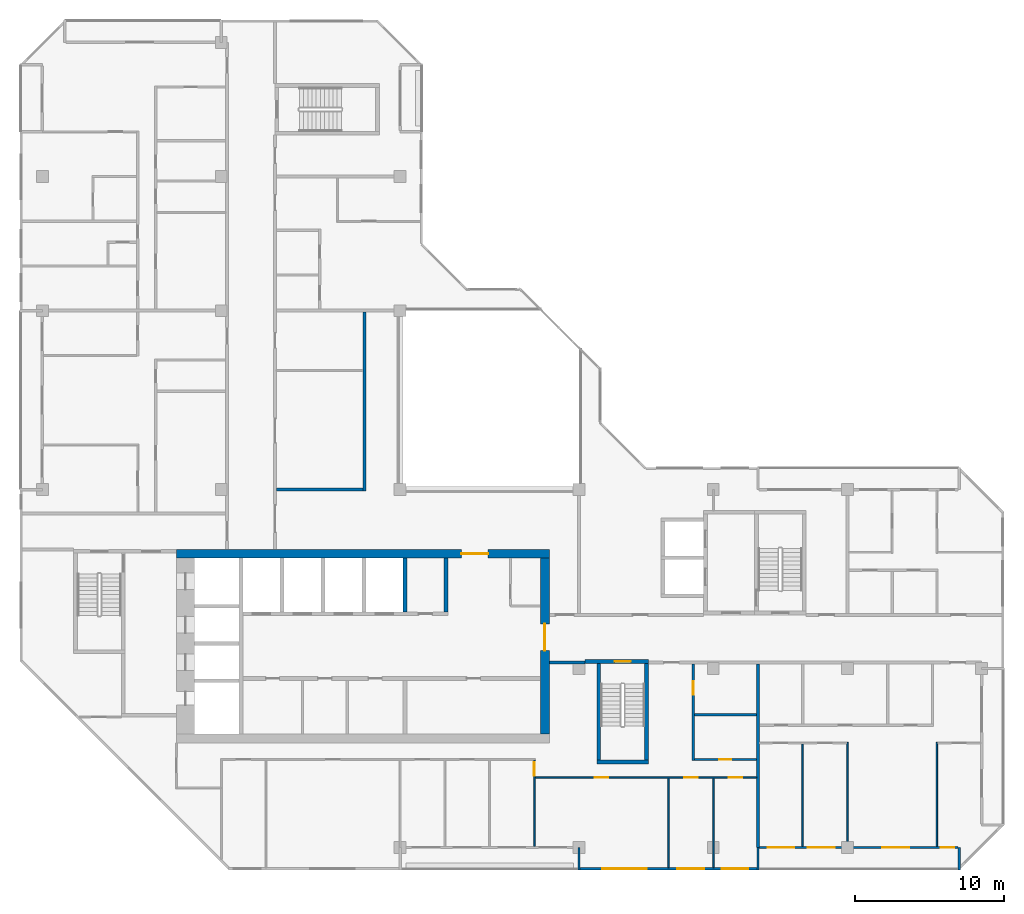
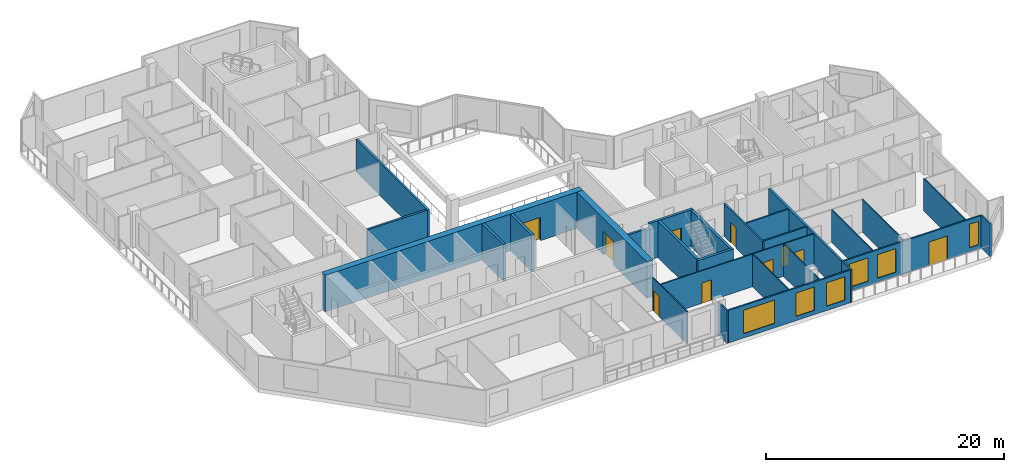
# One storey, part 6 of 13: 27 walls, 10 doors, 6 windows, 16 openings.
"""IFC4 building model written with IfcOpenShell, lengths in metres."""

from ifc_helpers import new_model, si_unit, direction, frame, frame_2d, origin, place, context, subcontext, project, spatial, rectangle, extrude, material, layer, layer_set, type_object, element, fill, save


model = new_model("IFC4")

# Units and contexts
model_context = context("Model", 3, precision=1e-05, world=origin(), true_north=direction((0.0, 1.0)))
body_context = subcontext(model_context, "Body", "Model", "MODEL_VIEW")
ifc_project = project(units=[si_unit("LENGTHUNIT", "METRE"), si_unit("AREAUNIT", "SQUARE_METRE"), si_unit("VOLUMEUNIT", "CUBIC_METRE"), si_unit("PLANEANGLEUNIT", "RADIAN"), si_unit("MASSUNIT", "GRAM", prefix="KILO")], contexts=[model_context])

# Site, building, storey
site_placement = place(None, origin())
site = spatial("IfcSite", under=ifc_project, at=site_placement, CompositionType="ELEMENT")
building_placement = place(site_placement, origin())
building = spatial("IfcBuilding", under=site, at=building_placement, Name="Chenar Terraces", CompositionType="ELEMENT")
storey_placement = place(building_placement, frame((0.0, 0.0, 292.14990234375)))
storey = spatial("IfcBuildingStorey", under=building, at=storey_placement, Name="L68", CompositionType="ELEMENT", Elevation=292.14990234375)

# Walls
ifc_material_1 = material(Name="Concrete C50/60", Category="concrete")
ifc_layer_1 = layer(ifc_material_1, 0.25)
ifc_layer_set_1 = layer_set([ifc_layer_1], Name="Concrete C50/60")
wall_type_1 = type_object("IfcWallType", Name="Core wall 250 Concrete C50/60", PredefinedType="SHEAR", material=ifc_layer_set_1)
for number, where, z_axis, x_axis, name in (
    (1, (24.324951171875, 15.800048828125, 0.0), (0.0, 0.0, 1.0), (0.0, 1.0, 0.0), "Core wall NS3 L68"),
    (2, (27.074951171875, 15.800048828125, 0.0), (0.0, 0.0, 1.0), (0.0, 1.0, 0.0), "Core wall NE L68"),
):
    element("IfcWall", number, at=place(storey_placement, frame(where, z_axis=z_axis, x_axis=x_axis)), inside=storey, type_object=wall_type_1, Name=name, PredefinedType="SHEAR", context=body_context, shape_type="SweptSolid", body=[
        extrude(rectangle(XDim=3.599853515625, YDim=0.25, at=frame_2d((1.7998046875, 0.0))), origin(), (0.0, 0.0, 1.0), 3.75),
    ])
wall_1_placement = place(storey_placement, frame((37.199951171875, 5.72509765625, 0.0), z_axis=(0.0, 0.0, 1.0), x_axis=(1.0, 0.0, 0.0)))
element("IfcWall", 3, at=wall_1_placement, inside=storey, type_object=wall_type_1, Name="Core wall ST2_S L68", PredefinedType="SHEAR", context=body_context, shape_type="SweptSolid", body=[
    extrude(rectangle(XDim=3.449951171875, YDim=0.25, at=frame_2d((1.72509765625, 0.0))), origin(), (0.0, 0.0, 1.0), 3.75),
])

# Wall, opening, door
wall_2_placement = place(storey_placement, frame((36.39990234375, 12.47509765625, 0.0), z_axis=(0.0, 0.0, 1.0), x_axis=(1.0, 0.0, 0.0)))
wall_2 = element("IfcWall", 4, at=wall_2_placement, inside=storey, type_object=wall_type_1, Name="Core wall ST2_N L68", PredefinedType="SHEAR", context=body_context, shape_type="SweptSolid", body=[
    extrude(rectangle(XDim=4.25, YDim=0.25, at=frame_2d((2.125, 0.0))), origin(), (0.0, 0.0, 1.0), 3.75),
])
opening_1_placement = place(wall_2_placement, frame((1.97509765625, 0.0, 0.0)))
opening_1 = element("IfcOpeningElement", 5, at=opening_1_placement, cuts=wall_2, Name="Opening DL68-C7", PredefinedType="OPENING", context=body_context, shape_type="SweptSolid", body=[
    extrude(rectangle(XDim=1.10009765625, YDim=2.199951171875, at=frame_2d((0.550048828125, 1.10009765625))), frame((0.0, 0.135009765625, 0.0), z_axis=(0.0, -1.0, 0.0), x_axis=(1.0, 0.0, 0.0)), (0.0, 0.0, 1.0), 0.27001953125),
])
ifc_material_2 = material(Name="Steel-framed fire-resisting door leaf", Category="steel")
door_type_1 = type_object("IfcDoorType", Name="Stair fire door FD60 1100 x 2200", OperationType="SINGLE_SWING_LEFT", PredefinedType="DOOR", material=ifc_material_2)
door_1_placement = place(opening_1_placement, frame((1.10009765625, 0.0, 0.0), z_axis=(0.0, 0.0, 1.0), x_axis=(-1.0, 0.0, 0.0)))
door_1 = element("IfcDoor", 6, at=door_1_placement, inside=storey, type_object=door_type_1, Name="Stair door DL68-C7", OperationType="SINGLE_SWING_LEFT", OverallHeight=2.199951171875, OverallWidth=1.10009765625, PredefinedType="DOOR", context=body_context, shape_type="SweptSolid", body=[
    extrude(rectangle(XDim=1.10009765625, YDim=2.199951171875, at=frame_2d((0.550048828125, 1.10009765625))), frame((0.0, 0.02490234375, 0.0), z_axis=(0.0, -1.0, 0.0), x_axis=(1.0, 0.0, 0.0)), (0.0, 0.0, 1.0), 0.050048828125),
])
fill(opening_1, door_1)

# Walls
for number, where, z_axis, x_axis, name in (
    (7, (37.324951171875, 5.85009765625, 0.0), (0.0, 0.0, 1.0), (0.0, 1.0, 0.0), "Core wall ST2_W L68"),
    (8, (40.52490234375, 5.85009765625, 0.0), (0.0, 0.0, 1.0), (0.0, 1.0, 0.0), "Core wall ST2_E L68"),
):
    element("IfcWall", number, at=place(storey_placement, frame(where, z_axis=z_axis, x_axis=x_axis)), inside=storey, type_object=wall_type_1, Name=name, PredefinedType="SHEAR", context=body_context, shape_type="SweptSolid", body=[
        extrude(rectangle(XDim=6.5, YDim=0.25, at=frame_2d((3.25, 0.0))), origin(), (0.0, 0.0, 1.0), 3.75),
    ])

# Wall, opening, door
ifc_material_3 = material(Name="Concrete C50/60", Category="concrete")
ifc_layer_2 = layer(ifc_material_3, 0.60009765625)
ifc_layer_set_2 = layer_set([ifc_layer_2], Name="Concrete C50/60")
wall_type_2 = type_object("IfcWallType", Name="Core wall 600 Concrete C50/60", PredefinedType="SHEAR", material=ifc_layer_set_2)
wall_3_placement = place(storey_placement, frame((9.0, 19.699951171875, 0.0), z_axis=(0.0, 0.0, 1.0), x_axis=(1.0, 0.0, 0.0)))
wall_3 = element("IfcWall", 9, at=wall_3_placement, inside=storey, type_object=wall_type_2, Name="Core wall N L68", PredefinedType="SHEAR", context=body_context, shape_type="SweptSolid", body=[
    extrude(rectangle(XDim=25.0, YDim=0.60009765625, at=frame_2d((12.5, 0.0))), origin(), (0.0, 0.0, 1.0), 3.75),
])
opening_2_placement = place(wall_3_placement, frame((19.10009765625, 0.0, 0.0)))
opening_2 = element("IfcOpeningElement", 10, at=opening_2_placement, cuts=wall_3, Name="Opening DL68-C2", PredefinedType="OPENING", context=body_context, shape_type="SweptSolid", body=[
    extrude(rectangle(XDim=1.800048828125, YDim=2.39990234375, at=frame_2d((0.89990234375, 1.199951171875))), frame((0.0, 0.31005859375, 0.0), z_axis=(0.0, -1.0, 0.0), x_axis=(1.0, 0.0, 0.0)), (0.0, 0.0, 1.0), 0.6201171875),
])
ifc_material_4 = material(Name="Steel-framed fire-resisting door leaf", Category="steel")
door_type_2 = type_object("IfcDoorType", Name="Core entrance double fire door FD60 1800 x 2400", OperationType="DOUBLE_DOOR_SINGLE_SWING", PredefinedType="DOOR", material=ifc_material_4)
door_2_placement = place(opening_2_placement, frame((1.800048828125, 0.0, 0.0), z_axis=(0.0, 0.0, 1.0), x_axis=(-1.0, 0.0, 0.0)))
door_2 = element("IfcDoor", 11, at=door_2_placement, inside=storey, type_object=door_type_2, Name="Core door DL68-C2", OperationType="DOUBLE_DOOR_SINGLE_SWING", OverallHeight=2.39990234375, OverallWidth=1.800048828125, PredefinedType="DOOR", context=body_context, shape_type="SweptSolid", body=[
    extrude(rectangle(XDim=1.800048828125, YDim=2.39990234375, at=frame_2d((0.89990234375, 1.199951171875))), frame((0.0, 0.02490234375, 0.0), z_axis=(0.0, -1.0, 0.0), x_axis=(1.0, 0.0, 0.0)), (0.0, 0.0, 1.0), 0.050048828125),
])
fill(opening_2, door_2)

wall_4_placement = place(storey_placement, frame((33.699951171875, 7.60009765625, 0.0), z_axis=(0.0, 0.0, 1.0), x_axis=(0.0, 1.0, 0.0)))
wall_4 = element("IfcWall", 12, at=wall_4_placement, inside=storey, type_object=wall_type_2, Name="Core wall E L68", PredefinedType="SHEAR", context=body_context, shape_type="SweptSolid", body=[
    extrude(rectangle(XDim=11.7998046875, YDim=0.60009765625, at=frame_2d((5.89990234375, 0.0))), origin(), (0.0, 0.0, 1.0), 3.75),
])
opening_3_placement = place(wall_4_placement, frame((5.60009765625, 0.0, 0.0)))
opening_3 = element("IfcOpeningElement", 13, at=opening_3_placement, cuts=wall_4, Name="Opening DL68-C1", PredefinedType="OPENING", context=body_context, shape_type="SweptSolid", body=[
    extrude(rectangle(XDim=1.800048828125, YDim=2.39990234375, at=frame_2d((0.89990234375, 1.199951171875))), frame((0.0, 0.31005859375, 0.0), z_axis=(0.0, -1.0, 0.0), x_axis=(1.0, 0.0, 0.0)), (0.0, 0.0, 1.0), 0.6201171875),
])
door_3_placement = place(opening_3_placement, origin())
door_3 = element("IfcDoor", 14, at=door_3_placement, inside=storey, type_object=door_type_2, Name="Core door DL68-C1", OperationType="DOUBLE_DOOR_SINGLE_SWING", OverallHeight=2.39990234375, OverallWidth=1.800048828125, PredefinedType="DOOR", context=body_context, shape_type="SweptSolid", body=[
    extrude(rectangle(XDim=1.800048828125, YDim=2.39990234375, at=frame_2d((0.89990234375, 1.199951171875))), frame((0.0, 0.02490234375, 0.0), z_axis=(0.0, -1.0, 0.0), x_axis=(1.0, 0.0, 0.0)), (0.0, 0.0, 1.0), 0.050048828125),
])
fill(opening_3, door_3)

# Walls
ifc_material_5 = material(Name="Gypsum board on steel studs with fire boards", Category="steel")
ifc_layer_3 = layer(ifc_material_5, 0.199951171875)
ifc_layer_set_3 = layer_set([ifc_layer_3], Name="Gypsum board on steel studs with fire boards")
wall_type_3 = type_object("IfcWallType", Name="Corridor wall 200", PredefinedType="PARTITIONING", material=ifc_layer_set_3)
wall_5_placement = place(storey_placement, frame((15.699951171875, 24.0, 0.0), z_axis=(0.0, 0.0, 1.0), x_axis=(1.0, 0.0, 0.0)))
element("IfcWall", 15, at=wall_5_placement, inside=storey, type_object=wall_type_3, Name="Partition L68-033", PredefinedType="PARTITIONING", context=body_context, shape_type="SweptSolid", body=[
    extrude(rectangle(XDim=5.800048828125, YDim=0.199951171875, at=frame_2d((2.89990234375, 0.0))), origin(), (0.0, 0.0, 1.0), 3.35009765625),
])
wall_6_placement = place(storey_placement, frame((21.60009765625, 23.89990234375, 0.0), z_axis=(0.0, 0.0, 1.0), x_axis=(0.0, 1.0, 0.0)))
element("IfcWall", 16, at=wall_6_placement, inside=storey, type_object=wall_type_3, Name="Partition L68-042", PredefinedType="PARTITIONING", context=body_context, shape_type="SweptSolid", body=[
    extrude(rectangle(XDim=12.0, YDim=0.199951171875, at=frame_2d((6.0, 0.0))), origin(), (0.0, 0.0, 1.0), 3.35009765625),
])
wall_7_placement = place(storey_placement, frame((34.0, 12.39990234375, 0.0), z_axis=(0.0, 0.0, 1.0), x_axis=(1.0, 0.0, 0.0)))
element("IfcWall", 17, at=wall_7_placement, inside=storey, type_object=wall_type_3, Name="Partition L68-048", PredefinedType="PARTITIONING", context=body_context, shape_type="SweptSolid", body=[
    extrude(rectangle(XDim=2.40087890625, YDim=0.199951171875, at=frame_2d((1.200439453125, 0.0))), origin(), (0.0, 0.0, 1.0), 3.35009765625),
])

# Wall, openings, windows
ifc_material_6 = material(Name="Aluminium framed glazing", Category="aluminium")
ifc_layer_4 = layer(ifc_material_6, 0.14990234375)
ifc_layer_set_4 = layer_set([ifc_layer_4], Name="Aluminium framed glazing")
wall_type_4 = type_object("IfcWallType", Name="Glazed flush facade wall 150", PredefinedType="SOLIDWALL", material=ifc_layer_set_4)
wall_8_placement = place(storey_placement, frame((36.074951171875, -1.425048828125, 0.0), z_axis=(0.0, 0.0, 1.0), x_axis=(1.0, 0.0, 0.0)))
wall_8 = element("IfcWall", 18, at=wall_8_placement, inside=storey, type_object=wall_type_4, Name="Glazed flush facade wall", PredefinedType="SOLIDWALL", context=body_context, shape_type="SweptSolid", body=[
    extrude(rectangle(XDim=11.85009765625, YDim=0.14990234375, at=frame_2d((5.925048828125, 0.0))), origin(), (0.0, 0.0, 1.0), 3.35009765625),
])
opening_4_placement = place(wall_8_placement, frame((1.46240234375, 0.0, 0.449951171875)))
opening_4 = element("IfcOpeningElement", 19, at=opening_4_placement, cuts=wall_8, Name="Opening W300x240", PredefinedType="OPENING", context=body_context, shape_type="SweptSolid", body=[
    extrude(rectangle(XDim=3.0, YDim=2.39990234375, at=frame_2d((1.5, 1.199951171875))), frame((0.0, 0.0849609375, 0.0), z_axis=(0.0, -1.0, 0.0), x_axis=(1.0, 0.0, 0.0)), (0.0, 0.0, 1.0), 0.169921875),
])
opening_5_placement = place(wall_8_placement, frame((6.52490234375, 0.0, 0.449951171875)))
opening_5 = element("IfcOpeningElement", 20, at=opening_5_placement, cuts=wall_8, Name="Opening W180x240", PredefinedType="OPENING", context=body_context, shape_type="SweptSolid", body=[
    extrude(rectangle(XDim=1.800048828125, YDim=2.39990234375, at=frame_2d((0.89990234375, 1.199951171875))), frame((0.0, 0.0849609375, 0.0), z_axis=(0.0, -1.0, 0.0), x_axis=(1.0, 0.0, 0.0)), (0.0, 0.0, 1.0), 0.169921875),
])
opening_6_placement = place(wall_8_placement, frame((9.487548828125, 0.0, 0.449951171875)))
opening_6 = element("IfcOpeningElement", 21, at=opening_6_placement, cuts=wall_8, Name="Opening W180x240", PredefinedType="OPENING", context=body_context, shape_type="SweptSolid", body=[
    extrude(rectangle(XDim=1.800048828125, YDim=2.39990234375, at=frame_2d((0.89990234375, 1.199951171875))), frame((0.0, 0.0849609375, 0.0), z_axis=(0.0, -1.0, 0.0), x_axis=(1.0, 0.0, 0.0)), (0.0, 0.0, 1.0), 0.169921875),
])
ifc_material_7 = material(Name="Low emissivity double glazing, aluminium frame", Category="aluminium")
window_type_1 = type_object("IfcWindowType", Name="Fixed light 1800 x 2400", PartitioningType="SINGLE_PANEL", PredefinedType="WINDOW", material=ifc_material_7)
window_1_placement = place(opening_5_placement, origin())
window_1 = element("IfcWindow", 22, at=window_1_placement, inside=storey, type_object=window_type_1, Name="Window", OverallHeight=2.39990234375, OverallWidth=1.800048828125, PartitioningType="SINGLE_PANEL", PredefinedType="WINDOW", context=body_context, shape_type="SweptSolid", body=[
    extrude(rectangle(XDim=1.800048828125, YDim=2.39990234375, at=frame_2d((0.89990234375, 1.199951171875))), frame((0.0, 0.030029296875, 0.0), z_axis=(0.0, -1.0, 0.0), x_axis=(1.0, 0.0, 0.0)), (0.0, 0.0, 1.0), 0.06005859375),
])
fill(opening_5, window_1)
window_2_placement = place(opening_6_placement, origin())
window_2 = element("IfcWindow", 23, at=window_2_placement, inside=storey, type_object=window_type_1, Name="Window", OverallHeight=2.39990234375, OverallWidth=1.800048828125, PartitioningType="SINGLE_PANEL", PredefinedType="WINDOW", context=body_context, shape_type="SweptSolid", body=[
    extrude(rectangle(XDim=1.800048828125, YDim=2.39990234375, at=frame_2d((0.89990234375, 1.199951171875))), frame((0.0, 0.030029296875, 0.0), z_axis=(0.0, -1.0, 0.0), x_axis=(1.0, 0.0, 0.0)), (0.0, 0.0, 1.0), 0.06005859375),
])
fill(opening_6, window_2)
ifc_material_8 = material(Name="Low emissivity double glazing, aluminium frame", Category="aluminium")
window_type_2 = type_object("IfcWindowType", Name="Fixed light 3000 x 2400", PartitioningType="SINGLE_PANEL", PredefinedType="WINDOW", material=ifc_material_8)
window_3_placement = place(opening_4_placement, origin())
window_3 = element("IfcWindow", 24, at=window_3_placement, inside=storey, type_object=window_type_2, Name="Window", OverallHeight=2.39990234375, OverallWidth=3.0, PartitioningType="SINGLE_PANEL", PredefinedType="WINDOW", context=body_context, shape_type="SweptSolid", body=[
    extrude(rectangle(XDim=3.0, YDim=2.39990234375, at=frame_2d((1.5, 1.199951171875))), frame((0.0, 0.030029296875, 0.0), z_axis=(0.0, -1.0, 0.0), x_axis=(1.0, 0.0, 0.0)), (0.0, 0.0, 1.0), 0.06005859375),
])
fill(opening_4, window_3)

# Wall, openings, windows, door
ifc_material_9 = material(Name="Aluminium framed glazing", Category="aluminium")
ifc_layer_5 = layer(ifc_material_9, 0.14990234375)
ifc_layer_set_5 = layer_set([ifc_layer_5], Name="Aluminium framed glazing")
wall_type_5 = type_object("IfcWallType", Name="Glazed loggia back wall 150", PredefinedType="SOLIDWALL", material=ifc_layer_set_5)
wall_9_placement = place(storey_placement, frame((48.074951171875, 0.0, 0.0), z_axis=(0.0, 0.0, 1.0), x_axis=(1.0, 0.0, 0.0)))
wall_9 = element("IfcWall", 25, at=wall_9_placement, inside=storey, type_object=wall_type_5, Name="Glazed loggia back wall", PredefinedType="SOLIDWALL", context=body_context, shape_type="SweptSolid", body=[
    extrude(rectangle(XDim=13.35009765625, YDim=0.14990234375, at=frame_2d((6.675048828125, 0.0))), origin(), (0.0, 0.0, 1.0), 3.35009765625),
])
opening_7_placement = place(wall_9_placement, frame((0.5625, 0.0, 0.449951171875)))
opening_7 = element("IfcOpeningElement", 26, at=opening_7_placement, cuts=wall_9, Name="Opening W180x240", PredefinedType="OPENING", context=body_context, shape_type="SweptSolid", body=[
    extrude(rectangle(XDim=1.800048828125, YDim=2.39990234375, at=frame_2d((0.89990234375, 1.199951171875))), frame((0.0, 0.0849609375, 0.0), z_axis=(0.0, -1.0, 0.0), x_axis=(1.0, 0.0, 0.0)), (0.0, 0.0, 1.0), 0.169921875),
])
opening_8_placement = place(wall_9_placement, frame((3.27490234375, 0.0, 0.449951171875)))
opening_8 = element("IfcOpeningElement", 27, at=opening_8_placement, cuts=wall_9, Name="Opening W180x240", PredefinedType="OPENING", context=body_context, shape_type="SweptSolid", body=[
    extrude(rectangle(XDim=1.800048828125, YDim=2.39990234375, at=frame_2d((0.89990234375, 1.199951171875))), frame((0.0, 0.0849609375, 0.0), z_axis=(0.0, -1.0, 0.0), x_axis=(1.0, 0.0, 0.0)), (0.0, 0.0, 1.0), 0.169921875),
])
opening_9_placement = place(wall_9_placement, frame((8.27490234375, 0.0, 0.0)))
opening_9 = element("IfcOpeningElement", 28, at=opening_9_placement, cuts=wall_9, Name="Opening DL68-G6", PredefinedType="OPENING", context=body_context, shape_type="SweptSolid", body=[
    extrude(rectangle(XDim=1.800048828125, YDim=2.39990234375, at=frame_2d((0.89990234375, 1.199951171875))), frame((0.0, 0.0849609375, 0.0), z_axis=(0.0, -1.0, 0.0), x_axis=(1.0, 0.0, 0.0)), (0.0, 0.0, 1.0), 0.169921875),
])
opening_10_placement = place(wall_9_placement, frame((12.1875, 0.0, 0.449951171875)))
opening_10 = element("IfcOpeningElement", 29, at=opening_10_placement, cuts=wall_9, Name="Opening W90x240", PredefinedType="OPENING", context=body_context, shape_type="SweptSolid", body=[
    extrude(rectangle(XDim=0.89990234375, YDim=2.39990234375, at=frame_2d((0.449951171875, 1.199951171875))), frame((0.0, 0.0849609375, 0.0), z_axis=(0.0, -1.0, 0.0), x_axis=(1.0, 0.0, 0.0)), (0.0, 0.0, 1.0), 0.169921875),
])
window_4_placement = place(opening_7_placement, origin())
window_4 = element("IfcWindow", 30, at=window_4_placement, inside=storey, type_object=window_type_1, Name="Window", OverallHeight=2.39990234375, OverallWidth=1.800048828125, PartitioningType="SINGLE_PANEL", PredefinedType="WINDOW", context=body_context, shape_type="SweptSolid", body=[
    extrude(rectangle(XDim=1.800048828125, YDim=2.39990234375, at=frame_2d((0.89990234375, 1.199951171875))), frame((0.0, 0.030029296875, 0.0), z_axis=(0.0, -1.0, 0.0), x_axis=(1.0, 0.0, 0.0)), (0.0, 0.0, 1.0), 0.06005859375),
])
fill(opening_7, window_4)
window_5_placement = place(opening_8_placement, origin())
window_5 = element("IfcWindow", 31, at=window_5_placement, inside=storey, type_object=window_type_1, Name="Window", OverallHeight=2.39990234375, OverallWidth=1.800048828125, PartitioningType="SINGLE_PANEL", PredefinedType="WINDOW", context=body_context, shape_type="SweptSolid", body=[
    extrude(rectangle(XDim=1.800048828125, YDim=2.39990234375, at=frame_2d((0.89990234375, 1.199951171875))), frame((0.0, 0.030029296875, 0.0), z_axis=(0.0, -1.0, 0.0), x_axis=(1.0, 0.0, 0.0)), (0.0, 0.0, 1.0), 0.06005859375),
])
fill(opening_8, window_5)
ifc_material_10 = material(Name="Low emissivity double glazing, aluminium frame", Category="aluminium")
window_type_3 = type_object("IfcWindowType", Name="Fixed light 900 x 2400", PartitioningType="SINGLE_PANEL", PredefinedType="WINDOW", material=ifc_material_10)
window_6_placement = place(opening_10_placement, origin())
window_6 = element("IfcWindow", 32, at=window_6_placement, inside=storey, type_object=window_type_3, Name="Window", OverallHeight=2.39990234375, OverallWidth=0.89990234375, PartitioningType="SINGLE_PANEL", PredefinedType="WINDOW", context=body_context, shape_type="SweptSolid", body=[
    extrude(rectangle(XDim=0.89990234375, YDim=2.39990234375, at=frame_2d((0.449951171875, 1.199951171875))), frame((0.0, 0.030029296875, 0.0), z_axis=(0.0, -1.0, 0.0), x_axis=(1.0, 0.0, 0.0)), (0.0, 0.0, 1.0), 0.06005859375),
])
fill(opening_10, window_6)
ifc_material_11 = material(Name="Low emissivity double glazing, aluminium frame", Category="aluminium")
door_type_3 = type_object("IfcDoorType", Name="Loggia glazed double door 1800 x 2400", OperationType="DOUBLE_DOOR_SINGLE_SWING", PredefinedType="DOOR", material=ifc_material_11)
door_4_placement = place(opening_9_placement, frame((1.800048828125, 0.0, 0.0), z_axis=(0.0, 0.0, 1.0), x_axis=(-1.0, 0.0, 0.0)))
door_4 = element("IfcDoor", 33, at=door_4_placement, inside=storey, type_object=door_type_3, Name="Loggia glazed door", OperationType="DOUBLE_DOOR_SINGLE_SWING", OverallHeight=2.39990234375, OverallWidth=1.800048828125, PredefinedType="DOOR", context=body_context, shape_type="SweptSolid", body=[
    extrude(rectangle(XDim=1.800048828125, YDim=2.39990234375, at=frame_2d((0.89990234375, 1.199951171875))), frame((0.0, 0.02490234375, 0.0), z_axis=(0.0, -1.0, 0.0), x_axis=(1.0, 0.0, 0.0)), (0.0, 0.0, 1.0), 0.050048828125),
])
fill(opening_9, door_4)

# Wall, opening, door
ifc_material_12 = material(Name="Gypsum board on steel studs", Category="steel")
ifc_layer_6 = layer(ifc_material_12, 0.10009765625)
ifc_layer_set_6 = layer_set([ifc_layer_6], Name="Gypsum board on steel studs")
wall_type_6 = type_object("IfcWallType", Name="Gypsum partition 100", PredefinedType="PARTITIONING", material=ifc_layer_set_6)
wall_10_placement = place(storey_placement, frame((33.0, 0.073974609375, 0.0), z_axis=(0.0, 0.0, 1.0), x_axis=(0.0, 1.0, 0.0)))
wall_10 = element("IfcWall", 34, at=wall_10_placement, inside=storey, type_object=wall_type_6, Name="Partition L68-046", PredefinedType="PARTITIONING", context=body_context, shape_type="SweptSolid", body=[
    extrude(rectangle(XDim=5.776123046875, YDim=0.10009765625, at=frame_2d((2.88818359375, 0.0))), origin(), (0.0, 0.0, 1.0), 3.35009765625),
])
opening_11_placement = place(wall_10_placement, frame((4.72607421875, 0.0, 0.0)))
opening_11 = element("IfcOpeningElement", 35, at=opening_11_placement, cuts=wall_10, Name="Opening DL68-39", PredefinedType="OPENING", context=body_context, shape_type="SweptSolid", body=[
    extrude(rectangle(XDim=0.89990234375, YDim=2.10009765625, at=frame_2d((0.449951171875, 1.050048828125))), frame((0.0, 0.06005859375, 0.0), z_axis=(0.0, -1.0, 0.0), x_axis=(1.0, 0.0, 0.0)), (0.0, 0.0, 1.0), 0.1201171875),
])
ifc_material_13 = material(Name="Veneered timber door leaf", Category="wood")
door_type_4 = type_object("IfcDoorType", Name="Door 900 x 2100", OperationType="SINGLE_SWING_LEFT", PredefinedType="DOOR", material=ifc_material_13)
door_5_placement = place(opening_11_placement, origin())
door_5 = element("IfcDoor", 36, at=door_5_placement, inside=storey, type_object=door_type_4, Name="Door DL68-39", OperationType="SINGLE_SWING_RIGHT", OverallHeight=2.10009765625, OverallWidth=0.89990234375, PredefinedType="DOOR", context=body_context, shape_type="SweptSolid", body=[
    extrude(rectangle(XDim=0.89990234375, YDim=2.10009765625, at=frame_2d((0.449951171875, 1.050048828125))), frame((0.0, 0.02490234375, 0.0), z_axis=(0.0, -1.0, 0.0), x_axis=(1.0, 0.0, 0.0)), (0.0, 0.0, 1.0), 0.050048828125),
])
fill(opening_11, door_5)

# Wall, openings, doors
wall_11_placement = place(storey_placement, frame((33.050048828125, 4.699951171875, 0.0), z_axis=(0.0, 0.0, 1.0), x_axis=(1.0, 0.0, 0.0)))
wall_11 = element("IfcWall", 37, at=wall_11_placement, inside=storey, type_object=wall_type_6, Name="Partition L68-047", PredefinedType="PARTITIONING", context=body_context, shape_type="SweptSolid", body=[
    extrude(rectangle(XDim=14.849853515625, YDim=0.10009765625, at=frame_2d((7.4248046875, 0.0))), origin(), (0.0, 0.0, 1.0), 3.35009765625),
])
opening_12_placement = place(wall_11_placement, frame((10.0, 0.0, 0.0)))
opening_12 = element("IfcOpeningElement", 38, at=opening_12_placement, cuts=wall_11, Name="Opening DL68-40", PredefinedType="OPENING", context=body_context, shape_type="SweptSolid", body=[
    extrude(rectangle(XDim=0.89990234375, YDim=2.10009765625, at=frame_2d((0.449951171875, 1.050048828125))), frame((0.0, 0.06005859375, 0.0), z_axis=(0.0, -1.0, 0.0), x_axis=(1.0, 0.0, 0.0)), (0.0, 0.0, 1.0), 0.1201171875),
])
opening_13_placement = place(wall_11_placement, frame((13.0, 0.0, 0.0)))
opening_13 = element("IfcOpeningElement", 39, at=opening_13_placement, cuts=wall_11, Name="Opening DL68-41", PredefinedType="OPENING", context=body_context, shape_type="SweptSolid", body=[
    extrude(rectangle(XDim=0.89990234375, YDim=2.10009765625, at=frame_2d((0.449951171875, 1.050048828125))), frame((0.0, 0.06005859375, 0.0), z_axis=(0.0, -1.0, 0.0), x_axis=(1.0, 0.0, 0.0)), (0.0, 0.0, 1.0), 0.1201171875),
])
opening_14_placement = place(wall_11_placement, frame((4.0, 0.0, 0.0)))
opening_14 = element("IfcOpeningElement", 40, at=opening_14_placement, cuts=wall_11, Name="Opening DL68-47", PredefinedType="OPENING", context=body_context, shape_type="SweptSolid", body=[
    extrude(rectangle(XDim=0.89990234375, YDim=2.10009765625, at=frame_2d((0.449951171875, 1.050048828125))), frame((0.0, 0.06005859375, 0.0), z_axis=(0.0, -1.0, 0.0), x_axis=(1.0, 0.0, 0.0)), (0.0, 0.0, 1.0), 0.1201171875),
])
door_6_placement = place(opening_12_placement, frame((0.89990234375, 0.0, 0.0), z_axis=(0.0, 0.0, 1.0), x_axis=(-1.0, 0.0, 0.0)))
door_6 = element("IfcDoor", 41, at=door_6_placement, inside=storey, type_object=door_type_4, Name="Door DL68-40", OperationType="SINGLE_SWING_LEFT", OverallHeight=2.10009765625, OverallWidth=0.89990234375, PredefinedType="DOOR", context=body_context, shape_type="SweptSolid", body=[
    extrude(rectangle(XDim=0.89990234375, YDim=2.10009765625, at=frame_2d((0.449951171875, 1.050048828125))), frame((0.0, 0.02490234375, 0.0), z_axis=(0.0, -1.0, 0.0), x_axis=(1.0, 0.0, 0.0)), (0.0, 0.0, 1.0), 0.050048828125),
])
fill(opening_12, door_6)
door_7_placement = place(opening_13_placement, frame((0.89990234375, 0.0, 0.0), z_axis=(0.0, 0.0, 1.0), x_axis=(-1.0, 0.0, 0.0)))
door_7 = element("IfcDoor", 42, at=door_7_placement, inside=storey, type_object=door_type_4, Name="Door DL68-41", OperationType="SINGLE_SWING_LEFT", OverallHeight=2.10009765625, OverallWidth=0.89990234375, PredefinedType="DOOR", context=body_context, shape_type="SweptSolid", body=[
    extrude(rectangle(XDim=0.89990234375, YDim=2.10009765625, at=frame_2d((0.449951171875, 1.050048828125))), frame((0.0, 0.02490234375, 0.0), z_axis=(0.0, -1.0, 0.0), x_axis=(1.0, 0.0, 0.0)), (0.0, 0.0, 1.0), 0.050048828125),
])
fill(opening_13, door_7)
door_8_placement = place(opening_14_placement, frame((0.89990234375, 0.0, 0.0), z_axis=(0.0, 0.0, 1.0), x_axis=(-1.0, 0.0, 0.0)))
door_8 = element("IfcDoor", 43, at=door_8_placement, inside=storey, type_object=door_type_4, Name="Door DL68-47", OperationType="SINGLE_SWING_LEFT", OverallHeight=2.10009765625, OverallWidth=0.89990234375, PredefinedType="DOOR", context=body_context, shape_type="SweptSolid", body=[
    extrude(rectangle(XDim=0.89990234375, YDim=2.10009765625, at=frame_2d((0.449951171875, 1.050048828125))), frame((0.0, 0.02490234375, 0.0), z_axis=(0.0, -1.0, 0.0), x_axis=(1.0, 0.0, 0.0)), (0.0, 0.0, 1.0), 0.050048828125),
])
fill(opening_14, door_8)

# Walls
wall_12_placement = place(storey_placement, frame((42.0, -1.35009765625, 0.0), z_axis=(0.0, 0.0, 1.0), x_axis=(0.0, 1.0, 0.0)))
element("IfcWall", 44, at=wall_12_placement, inside=storey, type_object=wall_type_6, Name="Partition L68-052", PredefinedType="PARTITIONING", context=body_context, shape_type="SweptSolid", body=[
    extrude(rectangle(XDim=6.0, YDim=0.10009765625, at=frame_2d((3.0, 0.0))), origin(), (0.0, 0.0, 1.0), 3.35009765625),
])
wall_13_placement = place(storey_placement, frame((45.0, -1.35107421875, 0.0), z_axis=(0.0, 0.0, 1.0), x_axis=(0.0, 1.0, 0.0)))
element("IfcWall", 45, at=wall_13_placement, inside=storey, type_object=wall_type_6, Name="Partition L68-056", PredefinedType="PARTITIONING", context=body_context, shape_type="SweptSolid", body=[
    extrude(rectangle(XDim=6.0009765625, YDim=0.10009765625, at=frame_2d((3.00048828125, 0.0))), origin(), (0.0, 0.0, 1.0), 3.35009765625),
])
wall_14_placement = place(storey_placement, frame((51.0, 0.073974609375, 0.0), z_axis=(0.0, 0.0, 1.0), x_axis=(0.0, 1.0, 0.0)))
element("IfcWall", 46, at=wall_14_placement, inside=storey, type_object=wall_type_6, Name="Partition L68-061", PredefinedType="PARTITIONING", context=body_context, shape_type="SweptSolid", body=[
    extrude(rectangle(XDim=6.8759765625, YDim=0.10009765625, at=frame_2d((3.43798828125, 0.0))), origin(), (0.0, 0.0, 1.0), 3.35009765625),
])
for number, where, z_axis, x_axis, name in (
    (47, (54.0, 0.073974609375, 0.0), (0.0, 0.0, 1.0), (0.0, 1.0, 0.0), "Partition L68-064"),
    (48, (60.0, 0.073974609375, 0.0), (0.0, 0.0, 1.0), (0.0, 1.0, 0.0), "Partition L68-072"),
):
    element("IfcWall", number, at=place(storey_placement, frame(where, z_axis=z_axis, x_axis=x_axis)), inside=storey, type_object=wall_type_6, Name=name, PredefinedType="PARTITIONING", context=body_context, shape_type="SweptSolid", body=[
        extrude(rectangle(XDim=6.97607421875, YDim=0.10009765625, at=frame_2d((3.488037109375, 0.0))), origin(), (0.0, 0.0, 1.0), 3.35009765625),
    ])
ifc_material_14 = material(Name="Terracotta cladding on insulated backing", Category="masonry")
ifc_layer_7 = layer(ifc_material_14, 0.14990234375)
ifc_layer_set_7 = layer_set([ifc_layer_7], Name="Terracotta cladding on insulated backing")
wall_type_7 = type_object("IfcWallType", Name="Loggia return wall 150", PredefinedType="SOLIDWALL", material=ifc_layer_set_7)
for number, where, z_axis, x_axis, name in (
    (49, (36.0, -1.5, 0.0), (0.0, 0.0, 1.0), (0.0, 1.0, 0.0), "Loggia return wall"),
    (50, (48.0, -1.5, 0.0), (0.0, 0.0, 1.0), (0.0, 1.0, 0.0), "Loggia return wall"),
    (51, (61.5, -1.5, 0.0), (0.0, 0.0, 1.0), (0.0, 1.0, 0.0), "Loggia return wall"),
):
    element("IfcWall", number, at=place(storey_placement, frame(where, z_axis=z_axis, x_axis=x_axis)), inside=storey, type_object=wall_type_7, Name=name, PredefinedType="SOLIDWALL", context=body_context, shape_type="SweptSolid", body=[
        extrude(rectangle(XDim=1.5, YDim=0.14990234375, at=frame_2d((0.75, 0.0))), origin(), (0.0, 0.0, 1.0), 3.35009765625),
    ])
ifc_material_15 = material(Name="Twin gypsum board on steel studs with mineral wool", Category="steel")
ifc_layer_8 = layer(ifc_material_15, 0.199951171875)
ifc_layer_set_8 = layer_set([ifc_layer_8], Name="Twin gypsum board on steel studs with mineral wool")
wall_type_8 = type_object("IfcWallType", Name="Unit demising wall 200", PredefinedType="PARTITIONING", material=ifc_layer_set_8)
wall_15_placement = place(storey_placement, frame((48.0, 0.0, 0.0), z_axis=(0.0, 0.0, 1.0), x_axis=(0.0, 1.0, 0.0)))
element("IfcWall", 52, at=wall_15_placement, inside=storey, type_object=wall_type_8, Name="Partition L68-058", PredefinedType="PARTITIONING", context=body_context, shape_type="SweptSolid", body=[
    extrude(rectangle(XDim=12.300048828125, YDim=0.199951171875, at=frame_2d((6.14990234375, 0.0))), origin(), (0.0, 0.0, 1.0), 3.35009765625),
])

# Wall, opening, door
ifc_material_16 = material(Name="Moisture-resistant gypsum board on steel studs", Category="steel")
ifc_layer_9 = layer(ifc_material_16, 0.14990234375)
ifc_layer_set_9 = layer_set([ifc_layer_9], Name="Moisture-resistant gypsum board on steel studs")
wall_type_9 = type_object("IfcWallType", Name="Wet-room partition 150", PredefinedType="PARTITIONING", material=ifc_layer_set_9)
wall_16_placement = place(storey_placement, frame((43.64990234375, 5.824951171875, 0.0), z_axis=(0.0, 0.0, 1.0), x_axis=(0.0, 1.0, 0.0)))
wall_16 = element("IfcWall", 53, at=wall_16_placement, inside=storey, type_object=wall_type_9, Name="Partition L68-053", PredefinedType="PARTITIONING", context=body_context, shape_type="SweptSolid", body=[
    extrude(rectangle(XDim=6.47509765625, YDim=0.14990234375, at=frame_2d((3.237548828125, 0.0))), origin(), (0.0, 0.0, 1.0), 3.35009765625),
])
opening_15_placement = place(wall_16_placement, frame((4.425048828125, 0.0, 0.0)))
opening_15 = element("IfcOpeningElement", 54, at=opening_15_placement, cuts=wall_16, Name="Opening DL68-45", PredefinedType="OPENING", context=body_context, shape_type="SweptSolid", body=[
    extrude(rectangle(XDim=0.89990234375, YDim=2.10009765625, at=frame_2d((0.449951171875, 1.050048828125))), frame((0.0, 0.0849609375, 0.0), z_axis=(0.0, -1.0, 0.0), x_axis=(1.0, 0.0, 0.0)), (0.0, 0.0, 1.0), 0.169921875),
])
door_9_placement = place(opening_15_placement, frame((0.89990234375, 0.0, 0.0), z_axis=(0.0, 0.0, 1.0), x_axis=(-1.0, 0.0, 0.0)))
door_9 = element("IfcDoor", 55, at=door_9_placement, inside=storey, type_object=door_type_4, Name="Door DL68-45", OperationType="SINGLE_SWING_LEFT", OverallHeight=2.10009765625, OverallWidth=0.89990234375, PredefinedType="DOOR", context=body_context, shape_type="SweptSolid", body=[
    extrude(rectangle(XDim=0.89990234375, YDim=2.10009765625, at=frame_2d((0.449951171875, 1.050048828125))), frame((0.0, 0.02490234375, 0.0), z_axis=(0.0, -1.0, 0.0), x_axis=(1.0, 0.0, 0.0)), (0.0, 0.0, 1.0), 0.050048828125),
])
fill(opening_15, door_9)

wall_17_placement = place(storey_placement, frame((43.72509765625, 5.89990234375, 0.0), z_axis=(0.0, 0.0, 1.0), x_axis=(1.0, 0.0, 0.0)))
wall_17 = element("IfcWall", 56, at=wall_17_placement, inside=storey, type_object=wall_type_9, Name="Partition L68-054", PredefinedType="PARTITIONING", context=body_context, shape_type="SweptSolid", body=[
    extrude(rectangle(XDim=4.1748046875, YDim=0.14990234375, at=frame_2d((2.08740234375, 0.0))), origin(), (0.0, 0.0, 1.0), 3.35009765625),
])
opening_16_placement = place(wall_17_placement, frame((1.675048828125, 0.0, 0.0)))
opening_16 = element("IfcOpeningElement", 57, at=opening_16_placement, cuts=wall_17, Name="Opening DL68-35", PredefinedType="OPENING", context=body_context, shape_type="SweptSolid", body=[
    extrude(rectangle(XDim=0.800048828125, YDim=2.10009765625, at=frame_2d((0.39990234375, 1.050048828125))), frame((0.0, 0.0849609375, 0.0), z_axis=(0.0, -1.0, 0.0), x_axis=(1.0, 0.0, 0.0)), (0.0, 0.0, 1.0), 0.169921875),
])
ifc_material_17 = material(Name="Veneered timber door leaf", Category="wood")
door_type_5 = type_object("IfcDoorType", Name="Door 800 x 2100", OperationType="SINGLE_SWING_LEFT", PredefinedType="DOOR", material=ifc_material_17)
door_10_placement = place(opening_16_placement, origin())
door_10 = element("IfcDoor", 58, at=door_10_placement, inside=storey, type_object=door_type_5, Name="Door DL68-35", OperationType="SINGLE_SWING_LEFT", OverallHeight=2.10009765625, OverallWidth=0.800048828125, PredefinedType="DOOR", context=body_context, shape_type="SweptSolid", body=[
    extrude(rectangle(XDim=0.800048828125, YDim=2.10009765625, at=frame_2d((0.39990234375, 1.050048828125))), frame((0.0, 0.02490234375, 0.0), z_axis=(0.0, -1.0, 0.0), x_axis=(1.0, 0.0, 0.0)), (0.0, 0.0, 1.0), 0.050048828125),
])
fill(opening_16, door_10)

# Wall
wall_18_placement = place(storey_placement, frame((43.72509765625, 8.89990234375, 0.0), z_axis=(0.0, 0.0, 1.0), x_axis=(1.0, 0.0, 0.0)))
element("IfcWall", 59, at=wall_18_placement, inside=storey, type_object=wall_type_9, Name="Partition L68-055", PredefinedType="PARTITIONING", context=body_context, shape_type="SweptSolid", body=[
    extrude(rectangle(XDim=4.1748046875, YDim=0.14990234375, at=frame_2d((2.08740234375, 0.0))), origin(), (0.0, 0.0, 1.0), 3.35009765625),
])

save(model, "model.ifc")
